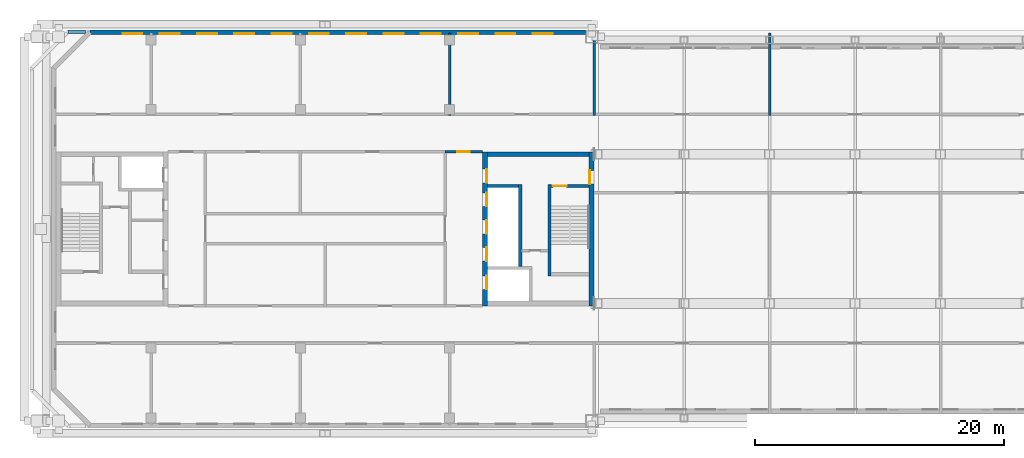
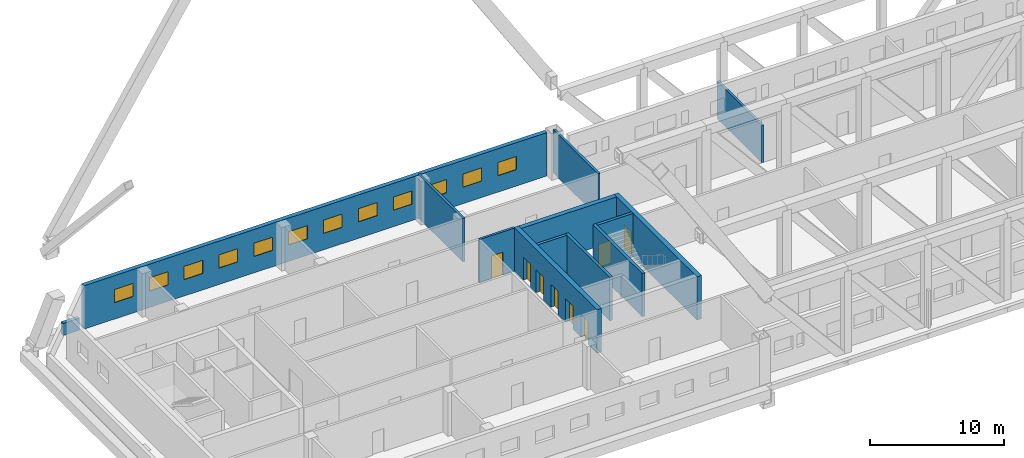
# One storey, part 6 of 17: 13 walls, 12 windows, 8 doors, 20 openings.
"""IFC4 building model written with IfcOpenShell, lengths in metres."""

import ifcopenshell
import ifcopenshell.guid

model = None  # the IFC model being written
_history = None  # IfcOwnerHistory: only IFC2X3 demands one
_inside = {}  # id of a spatial element -> (the spatial element, [elements in it])
_under = {}  # id of a project, library or spatial element -> (it, [spatial elements below it])
_declared = {}  # id of a project -> (the project, [libraries it declares])
_typed = {}  # id of a type object -> (the type object, [elements of that type])
_made_of = {}  # id of a material, layer set ... -> (it, [elements and type objects made of it])


def new_model(schema):
    """Start an empty IFC model of exactly this schema.

    Asked for "IFC4X3", IfcOpenShell would pick the latest addendum, in which some entities
    have other attributes; the version numbers below select the first issue.
    IFC2X3 requires an IfcOwnerHistory on every rooted entity: one is made here for all.
    """
    global model, _history
    if schema == "IFC4X3":
        model = ifcopenshell.file(schema_version=(4, 3, 0, 0))
    else:
        model = ifcopenshell.file(schema=schema)
    _inside.clear()
    _under.clear()
    _declared.clear()
    _typed.clear()
    _made_of.clear()
    _history = None
    if model.schema == "IFC2X3":
        org = make("IfcOrganization", Name="unknown")
        user = make(
            "IfcPersonAndOrganization",
            ThePerson=make("IfcPerson", FamilyName="unknown"),
            TheOrganization=org,
        )
        app = make(
            "IfcApplication",
            ApplicationDeveloper=org,
            Version="unknown",
            ApplicationFullName="unknown",
            ApplicationIdentifier="unknown",
        )
        _history = make(
            "IfcOwnerHistory",
            OwningUser=user,
            OwningApplication=app,
            ChangeAction="ADDED",
            CreationDate=0,
        )
    return model


def make(cls, **values):
    """One entity of the class cls with the attributes given. An attribute that is None is left unset."""
    return model.create_entity(
        cls, **{name: value for name, value in values.items() if value is not None}
    )


def rooted(cls, **values):
    """An entity with a GlobalId (a new one), such as an element, a storey or a relation."""
    return make(cls, GlobalId=ifcopenshell.guid.new(), OwnerHistory=_history, **values)


def si_unit(unit_type, name, prefix=None):
    """IfcSIUnit, for example si_unit("LENGTHUNIT", "METRE", prefix="MILLI")."""
    return make("IfcSIUnit", UnitType=unit_type, Prefix=prefix, Name=name)


def assignment(units):
    """IfcUnitAssignment: the units of a project."""
    return None if units is None else make("IfcUnitAssignment", Units=units)


def point(xyz):
    """IfcCartesianPoint."""
    return None if xyz is None else make("IfcCartesianPoint", Coordinates=xyz)


def direction(xyz):
    """IfcDirection."""
    return None if xyz is None else make("IfcDirection", DirectionRatios=xyz)


def frame(location, z_axis=None, x_axis=None):
    """IfcAxis2Placement3D, a coordinate frame: its origin and axes. An axis left out is left unset."""
    return make(
        "IfcAxis2Placement3D",
        Location=point(location),
        Axis=direction(z_axis),
        RefDirection=direction(x_axis),
    )


def frame_2d(location, x_axis=None):
    """IfcAxis2Placement2D, a coordinate frame in the plane: its origin and x axis."""
    return make(
        "IfcAxis2Placement2D", Location=point(location), RefDirection=direction(x_axis)
    )


def origin():
    """The frame at (0, 0, 0) with its axes left unset."""
    return frame((0.0, 0.0, 0.0))


def place(relative_to, where):
    """IfcLocalPlacement: puts the frame where relative to a parent placement (None: the world)."""
    return make(
        "IfcLocalPlacement", PlacementRelTo=relative_to, RelativePlacement=where
    )


def context(
    kind, dimensions, precision=None, world=None, true_north=None, identifier=None
):
    """IfcGeometricRepresentationContext, for example the 3D "Model" context."""
    return make(
        "IfcGeometricRepresentationContext",
        ContextIdentifier=identifier,
        ContextType=kind,
        CoordinateSpaceDimension=dimensions,
        Precision=precision,
        WorldCoordinateSystem=world,
        TrueNorth=true_north,
    )


def subcontext(parent, identifier, kind, view, scale=None):
    """IfcGeometricRepresentationSubContext, for example "Body" below "Model"."""
    return make(
        "IfcGeometricRepresentationSubContext",
        ContextIdentifier=identifier,
        ContextType=kind,
        ParentContext=parent,
        TargetScale=scale,
        TargetView=view,
    )


def project(units=None, contexts=None):
    """IfcProject with its units and contexts."""
    return rooted(
        "IfcProject",
        Name="project",
        RepresentationContexts=contexts,
        UnitsInContext=assignment(units),
    )


def spatial(cls, under=None, at=None, **own):
    """A site, building, storey or space (cls), placed at a placement, below another one or the project."""
    s = rooted(cls, ObjectPlacement=at, **own)
    if under is not None:
        _under.setdefault(under.id(), (under, []))[1].append(s)
    return s


def profile(cls, at=None, kind="AREA", **sizes):
    """A parametric profile (cls). Its sizes go by their IFC names, for example OverallWidth=200.0."""
    return make(cls, ProfileType=kind, Position=at, **sizes)


def rectangle(**sizes):
    """IfcRectangleProfileDef."""
    return profile("IfcRectangleProfileDef", **sizes)


def extrude(swept, where, along, depth):
    """IfcExtrudedAreaSolid: the profile swept, set in the frame where, extruded along a direction by depth."""
    return make(
        "IfcExtrudedAreaSolid",
        SweptArea=swept,
        Position=where,
        ExtrudedDirection=direction(along),
        Depth=depth,
    )


def shape(context_of_items, identifier, shape_type, items):
    """IfcShapeRepresentation: the items that make up one representation, for example the "Body"."""
    return make(
        "IfcShapeRepresentation",
        ContextOfItems=context_of_items,
        RepresentationIdentifier=identifier,
        RepresentationType=shape_type,
        Items=items,
    )


def material(Name=None, Category=None):
    """IfcMaterial."""
    return make("IfcMaterial", Name=Name, Category=Category)


def layer(
    of_material, thickness, ventilated=None, Name=None, Category=None, Priority=None
):
    """IfcMaterialLayer: one layer of a wall or slab, of a material (None: an air gap)."""
    return make(
        "IfcMaterialLayer",
        Material=of_material,
        LayerThickness=thickness,
        IsVentilated=ventilated,
        Name=Name,
        Category=Category,
        Priority=Priority,
    )


def layer_set(layers, Name=None):
    """IfcMaterialLayerSet."""
    return make("IfcMaterialLayerSet", MaterialLayers=layers, LayerSetName=Name)


def made_of(thing, what):
    """Note that an element or type object is made of a material, layer set ...; save() writes the relation."""
    if what is not None:
        _made_of.setdefault(what.id(), (what, []))[1].append(thing)
    return thing


def type_object(cls, material=None, **own):
    """A type object (cls), such as IfcWallType, which elements share."""
    return made_of(rooted(cls, **own), material)


def element(
    cls,
    number,
    at=None,
    inside=None,
    cuts=None,
    type_object=None,
    material=None,
    context=None,
    identifier="Body",
    shape_type=None,
    held_by="IfcProductDefinitionShape",
    body=None,
    shapes=None,
    **own,
):
    """One element of the class cls, such as IfcWall. Its Tag is "e" and its number.

    at: its placement. inside: the storey or other place that contains it. cuts: it is an
    opening in that element (IfcRelVoidsElement). A single representation is given by context,
    identifier, shape_type and body (its items); several are given by shapes. held_by: the class
    of the entity that holds the representations. save() writes the other relations.
    """
    e = rooted(cls, Tag="e%d" % number, ObjectPlacement=at, **own)
    if body is not None:
        shapes = [shape(context, identifier, shape_type, body)]
    if shapes is not None:
        e.Representation = make(held_by, Representations=shapes)
    if inside is not None:
        _inside.setdefault(inside.id(), (inside, []))[1].append(e)
    if cuts is not None:
        rooted(
            "IfcRelVoidsElement", RelatingBuildingElement=cuts, RelatedOpeningElement=e
        )
    if type_object is not None:
        _typed.setdefault(type_object.id(), (type_object, []))[1].append(e)
    return made_of(e, material)


def fill(opening, filler):
    """IfcRelFillsElement: the door or window that sits in an opening."""
    return rooted(
        "IfcRelFillsElement",
        RelatingOpeningElement=opening,
        RelatedBuildingElement=filler,
    )


def aggregate(whole, parts):
    """IfcRelAggregates: a whole, such as a stair, and the parts it consists of."""
    return rooted("IfcRelAggregates", RelatingObject=whole, RelatedObjects=parts)


def save(model, path):
    """Write the relations noted so far, then the file.

    IfcRelAggregates (storeys below a building ...), IfcRelContainedInSpatialStructure (elements
    in a storey), IfcRelDefinesByType, IfcRelAssociatesMaterial and IfcRelDeclares: one each for
    every whole, place, type object, material and project.
    """
    for whole, parts in _under.values():
        aggregate(whole, parts)
    for where, things in _inside.values():
        rooted(
            "IfcRelContainedInSpatialStructure",
            RelatedElements=things,
            RelatingStructure=where,
        )
    for kind, things in _typed.values():
        rooted("IfcRelDefinesByType", RelatedObjects=things, RelatingType=kind)
    for what, things in _made_of.values():
        rooted("IfcRelAssociatesMaterial", RelatedObjects=things, RelatingMaterial=what)
    for by, libraries in _declared.values():
        rooted("IfcRelDeclares", RelatingContext=by, RelatedDefinitions=libraries)
    model.write(path)


model = new_model("IFC4")

# Units and contexts
model_context = context("Model", 3, precision=1e-05, world=origin(), true_north=direction((0.0, 1.0)))
body_context = subcontext(model_context, "Body", "Model", "MODEL_VIEW")
ifc_project = project(units=[si_unit("LENGTHUNIT", "METRE"), si_unit("AREAUNIT", "SQUARE_METRE"), si_unit("VOLUMEUNIT", "CUBIC_METRE"), si_unit("PLANEANGLEUNIT", "RADIAN"), si_unit("MASSUNIT", "GRAM", prefix="KILO")], contexts=[model_context])

# Site, building, storey
site_placement = place(None, origin())
site = spatial("IfcSite", under=ifc_project, at=site_placement, CompositionType="ELEMENT")
building_placement = place(site_placement, origin())
building = spatial("IfcBuilding", under=site, at=building_placement, Name="Tuart Gate Housing", CompositionType="ELEMENT")
storey_placement = place(building_placement, frame((0.0, 0.0, 194.39990234375)))
storey = spatial("IfcBuildingStorey", under=building, at=storey_placement, Name="L55", CompositionType="ELEMENT", Elevation=194.39990234375)

# Wall
ifc_material_1 = material(Name="Brick", Category="masonry")
ifc_layer_1 = layer(ifc_material_1, 0.300048828125)
ifc_layer_set_1 = layer_set([ifc_layer_1], Name="Brick parapet wall 300")
wall_type_1 = type_object("IfcWallType", Name="Brick parapet wall 300", PredefinedType="PARAPET", material=ifc_layer_set_1)
wall_1_placement = place(storey_placement, frame((34.699951171875, 85.85009765625, 0.0), z_axis=(0.0, 0.0, 1.0), x_axis=(-1.0, 0.0, 0.0)))
element("IfcWall", 1, at=wall_1_placement, inside=storey, type_object=wall_type_1, Name="Roof parapet A 1", PredefinedType="PARAPET", context=body_context, shape_type="SweptSolid", body=[
    extrude(rectangle(XDim=1.387939453125, YDim=0.300048828125, at=frame_2d((0.69384765625, 0.0))), origin(), (0.0, 0.0, 1.0), 1.10009765625),
])

# Wall, openings, windows
ifc_material_2 = material(Name="Brick", Category="masonry")
ifc_layer_2 = layer(ifc_material_2, 0.360107421875)
ifc_layer_set_2 = layer_set([ifc_layer_2], Name="Brick pier and spandrel wall 360")
wall_type_2 = type_object("IfcWallType", Name="Brick pier and spandrel wall 360", PredefinedType="STANDARD", material=ifc_layer_set_2)
wall_2_placement = place(storey_placement, frame((74.949951171875, 85.820068359375, 0.0), z_axis=(0.0, 0.0, 1.0), x_axis=(-1.0, 0.0, 0.0)))
wall_2 = element("IfcWall", 2, at=wall_2_placement, inside=storey, type_object=wall_type_2, Name="External wall BLK-N L55", PredefinedType="STANDARD", context=body_context, shape_type="SweptSolid", body=[
    extrude(rectangle(XDim=39.87548828125, YDim=0.360107421875, at=frame_2d((19.937744140625, 0.0))), origin(), (0.0, 0.0, 1.0), 3.9501953125),
])
opening_1_placement = place(wall_2_placement, frame((2.64990234375, 0.0, 1.5)))
opening_1 = element("IfcOpeningElement", 3, at=opening_1_placement, cuts=wall_2, Name="Opening W3", PredefinedType="OPENING", context=body_context, shape_type="SweptSolid", body=[
    extrude(rectangle(XDim=1.60009765625, YDim=1.199951171875, at=frame_2d((0.800048828125, 0.60009765625))), frame((0.0, 0.18994140625, 0.0), z_axis=(0.0, -1.0, 0.0), x_axis=(1.0, 0.0, 0.0)), (0.0, 0.0, 1.0), 0.380126953125),
])
opening_2_placement = place(wall_2_placement, frame((5.64990234375, 0.0, 1.5)))
opening_2 = element("IfcOpeningElement", 4, at=opening_2_placement, cuts=wall_2, Name="Opening W3", PredefinedType="OPENING", context=body_context, shape_type="SweptSolid", body=[
    extrude(rectangle(XDim=1.60009765625, YDim=1.199951171875, at=frame_2d((0.800048828125, 0.60009765625))), frame((0.0, 0.18994140625, 0.0), z_axis=(0.0, -1.0, 0.0), x_axis=(1.0, 0.0, 0.0)), (0.0, 0.0, 1.0), 0.380126953125),
])
opening_3_placement = place(wall_2_placement, frame((8.64990234375, 0.0, 1.5)))
opening_3 = element("IfcOpeningElement", 5, at=opening_3_placement, cuts=wall_2, Name="Opening W3", PredefinedType="OPENING", context=body_context, shape_type="SweptSolid", body=[
    extrude(rectangle(XDim=1.60009765625, YDim=1.199951171875, at=frame_2d((0.800048828125, 0.60009765625))), frame((0.0, 0.18994140625, 0.0), z_axis=(0.0, -1.0, 0.0), x_axis=(1.0, 0.0, 0.0)), (0.0, 0.0, 1.0), 0.380126953125),
])
opening_4_placement = place(wall_2_placement, frame((11.64990234375, 0.0, 1.5)))
opening_4 = element("IfcOpeningElement", 6, at=opening_4_placement, cuts=wall_2, Name="Opening W3", PredefinedType="OPENING", context=body_context, shape_type="SweptSolid", body=[
    extrude(rectangle(XDim=1.60009765625, YDim=1.199951171875, at=frame_2d((0.800048828125, 0.60009765625))), frame((0.0, 0.18994140625, 0.0), z_axis=(0.0, -1.0, 0.0), x_axis=(1.0, 0.0, 0.0)), (0.0, 0.0, 1.0), 0.380126953125),
])
opening_5_placement = place(wall_2_placement, frame((14.64990234375, 0.0, 1.5)))
opening_5 = element("IfcOpeningElement", 7, at=opening_5_placement, cuts=wall_2, Name="Opening W3", PredefinedType="OPENING", context=body_context, shape_type="SweptSolid", body=[
    extrude(rectangle(XDim=1.60009765625, YDim=1.199951171875, at=frame_2d((0.800048828125, 0.60009765625))), frame((0.0, 0.18994140625, 0.0), z_axis=(0.0, -1.0, 0.0), x_axis=(1.0, 0.0, 0.0)), (0.0, 0.0, 1.0), 0.380126953125),
])
opening_6_placement = place(wall_2_placement, frame((17.64990234375, 0.0, 1.5)))
opening_6 = element("IfcOpeningElement", 8, at=opening_6_placement, cuts=wall_2, Name="Opening W3", PredefinedType="OPENING", context=body_context, shape_type="SweptSolid", body=[
    extrude(rectangle(XDim=1.60009765625, YDim=1.199951171875, at=frame_2d((0.800048828125, 0.60009765625))), frame((0.0, 0.18994140625, 0.0), z_axis=(0.0, -1.0, 0.0), x_axis=(1.0, 0.0, 0.0)), (0.0, 0.0, 1.0), 0.380126953125),
])
opening_7_placement = place(wall_2_placement, frame((20.64990234375, 0.0, 1.5)))
opening_7 = element("IfcOpeningElement", 9, at=opening_7_placement, cuts=wall_2, Name="Opening W3", PredefinedType="OPENING", context=body_context, shape_type="SweptSolid", body=[
    extrude(rectangle(XDim=1.60009765625, YDim=1.199951171875, at=frame_2d((0.800048828125, 0.60009765625))), frame((0.0, 0.18994140625, 0.0), z_axis=(0.0, -1.0, 0.0), x_axis=(1.0, 0.0, 0.0)), (0.0, 0.0, 1.0), 0.380126953125),
])
opening_8_placement = place(wall_2_placement, frame((23.64990234375, 0.0, 1.5)))
opening_8 = element("IfcOpeningElement", 10, at=opening_8_placement, cuts=wall_2, Name="Opening W3", PredefinedType="OPENING", context=body_context, shape_type="SweptSolid", body=[
    extrude(rectangle(XDim=1.60009765625, YDim=1.199951171875, at=frame_2d((0.800048828125, 0.60009765625))), frame((0.0, 0.18994140625, 0.0), z_axis=(0.0, -1.0, 0.0), x_axis=(1.0, 0.0, 0.0)), (0.0, 0.0, 1.0), 0.380126953125),
])
opening_9_placement = place(wall_2_placement, frame((26.64990234375, 0.0, 1.5)))
opening_9 = element("IfcOpeningElement", 11, at=opening_9_placement, cuts=wall_2, Name="Opening W3", PredefinedType="OPENING", context=body_context, shape_type="SweptSolid", body=[
    extrude(rectangle(XDim=1.60009765625, YDim=1.199951171875, at=frame_2d((0.800048828125, 0.60009765625))), frame((0.0, 0.18994140625, 0.0), z_axis=(0.0, -1.0, 0.0), x_axis=(1.0, 0.0, 0.0)), (0.0, 0.0, 1.0), 0.380126953125),
])
opening_10_placement = place(wall_2_placement, frame((29.64990234375, 0.0, 1.5)))
opening_10 = element("IfcOpeningElement", 12, at=opening_10_placement, cuts=wall_2, Name="Opening W3", PredefinedType="OPENING", context=body_context, shape_type="SweptSolid", body=[
    extrude(rectangle(XDim=1.60009765625, YDim=1.199951171875, at=frame_2d((0.800048828125, 0.60009765625))), frame((0.0, 0.18994140625, 0.0), z_axis=(0.0, -1.0, 0.0), x_axis=(1.0, 0.0, 0.0)), (0.0, 0.0, 1.0), 0.380126953125),
])
opening_11_placement = place(wall_2_placement, frame((32.64990234375, 0.0, 1.5)))
opening_11 = element("IfcOpeningElement", 13, at=opening_11_placement, cuts=wall_2, Name="Opening W3", PredefinedType="OPENING", context=body_context, shape_type="SweptSolid", body=[
    extrude(rectangle(XDim=1.60009765625, YDim=1.199951171875, at=frame_2d((0.800048828125, 0.60009765625))), frame((0.0, 0.18994140625, 0.0), z_axis=(0.0, -1.0, 0.0), x_axis=(1.0, 0.0, 0.0)), (0.0, 0.0, 1.0), 0.380126953125),
])
opening_12_placement = place(wall_2_placement, frame((35.64990234375, 0.0, 1.5)))
opening_12 = element("IfcOpeningElement", 14, at=opening_12_placement, cuts=wall_2, Name="Opening W3", PredefinedType="OPENING", context=body_context, shape_type="SweptSolid", body=[
    extrude(rectangle(XDim=1.60009765625, YDim=1.199951171875, at=frame_2d((0.800048828125, 0.60009765625))), frame((0.0, 0.18994140625, 0.0), z_axis=(0.0, -1.0, 0.0), x_axis=(1.0, 0.0, 0.0)), (0.0, 0.0, 1.0), 0.380126953125),
])
ifc_material_3 = material(Name="Aluminium louvre blades", Category="aluminium")
window_type = type_object("IfcWindowType", Name="Louvre window 1600 x 1200", PartitioningType="DOUBLE_PANEL_HORIZONTAL", PredefinedType="WINDOW", material=ifc_material_3)
window_1_placement = place(opening_1_placement, origin())
window_1 = element("IfcWindow", 15, at=window_1_placement, inside=storey, type_object=window_type, Name="Louvre W3", OverallHeight=1.199951171875, OverallWidth=1.60009765625, PartitioningType="DOUBLE_PANEL_HORIZONTAL", PredefinedType="WINDOW", context=body_context, shape_type="SweptSolid", body=[
    extrude(rectangle(XDim=1.60009765625, YDim=1.199951171875, at=frame_2d((0.800048828125, 0.60009765625))), frame((0.0, 0.150146484375, 0.0), z_axis=(0.0, -1.0, 0.0), x_axis=(1.0, 0.0, 0.0)), (0.0, 0.0, 1.0), 0.06005859375),
])
fill(opening_1, window_1)
window_2_placement = place(opening_2_placement, origin())
window_2 = element("IfcWindow", 16, at=window_2_placement, inside=storey, type_object=window_type, Name="Louvre W3", OverallHeight=1.199951171875, OverallWidth=1.60009765625, PartitioningType="DOUBLE_PANEL_HORIZONTAL", PredefinedType="WINDOW", context=body_context, shape_type="SweptSolid", body=[
    extrude(rectangle(XDim=1.60009765625, YDim=1.199951171875, at=frame_2d((0.800048828125, 0.60009765625))), frame((0.0, 0.150146484375, 0.0), z_axis=(0.0, -1.0, 0.0), x_axis=(1.0, 0.0, 0.0)), (0.0, 0.0, 1.0), 0.06005859375),
])
fill(opening_2, window_2)
window_3_placement = place(opening_3_placement, origin())
window_3 = element("IfcWindow", 17, at=window_3_placement, inside=storey, type_object=window_type, Name="Louvre W3", OverallHeight=1.199951171875, OverallWidth=1.60009765625, PartitioningType="DOUBLE_PANEL_HORIZONTAL", PredefinedType="WINDOW", context=body_context, shape_type="SweptSolid", body=[
    extrude(rectangle(XDim=1.60009765625, YDim=1.199951171875, at=frame_2d((0.800048828125, 0.60009765625))), frame((0.0, 0.150146484375, 0.0), z_axis=(0.0, -1.0, 0.0), x_axis=(1.0, 0.0, 0.0)), (0.0, 0.0, 1.0), 0.06005859375),
])
fill(opening_3, window_3)
window_4_placement = place(opening_4_placement, origin())
window_4 = element("IfcWindow", 18, at=window_4_placement, inside=storey, type_object=window_type, Name="Louvre W3", OverallHeight=1.199951171875, OverallWidth=1.60009765625, PartitioningType="DOUBLE_PANEL_HORIZONTAL", PredefinedType="WINDOW", context=body_context, shape_type="SweptSolid", body=[
    extrude(rectangle(XDim=1.60009765625, YDim=1.199951171875, at=frame_2d((0.800048828125, 0.60009765625))), frame((0.0, 0.150146484375, 0.0), z_axis=(0.0, -1.0, 0.0), x_axis=(1.0, 0.0, 0.0)), (0.0, 0.0, 1.0), 0.06005859375),
])
fill(opening_4, window_4)
window_5_placement = place(opening_5_placement, origin())
window_5 = element("IfcWindow", 19, at=window_5_placement, inside=storey, type_object=window_type, Name="Louvre W3", OverallHeight=1.199951171875, OverallWidth=1.60009765625, PartitioningType="DOUBLE_PANEL_HORIZONTAL", PredefinedType="WINDOW", context=body_context, shape_type="SweptSolid", body=[
    extrude(rectangle(XDim=1.60009765625, YDim=1.199951171875, at=frame_2d((0.800048828125, 0.60009765625))), frame((0.0, 0.150146484375, 0.0), z_axis=(0.0, -1.0, 0.0), x_axis=(1.0, 0.0, 0.0)), (0.0, 0.0, 1.0), 0.06005859375),
])
fill(opening_5, window_5)
window_6_placement = place(opening_6_placement, origin())
window_6 = element("IfcWindow", 20, at=window_6_placement, inside=storey, type_object=window_type, Name="Louvre W3", OverallHeight=1.199951171875, OverallWidth=1.60009765625, PartitioningType="DOUBLE_PANEL_HORIZONTAL", PredefinedType="WINDOW", context=body_context, shape_type="SweptSolid", body=[
    extrude(rectangle(XDim=1.60009765625, YDim=1.199951171875, at=frame_2d((0.800048828125, 0.60009765625))), frame((0.0, 0.150146484375, 0.0), z_axis=(0.0, -1.0, 0.0), x_axis=(1.0, 0.0, 0.0)), (0.0, 0.0, 1.0), 0.06005859375),
])
fill(opening_6, window_6)
window_7_placement = place(opening_7_placement, origin())
window_7 = element("IfcWindow", 21, at=window_7_placement, inside=storey, type_object=window_type, Name="Louvre W3", OverallHeight=1.199951171875, OverallWidth=1.60009765625, PartitioningType="DOUBLE_PANEL_HORIZONTAL", PredefinedType="WINDOW", context=body_context, shape_type="SweptSolid", body=[
    extrude(rectangle(XDim=1.60009765625, YDim=1.199951171875, at=frame_2d((0.800048828125, 0.60009765625))), frame((0.0, 0.150146484375, 0.0), z_axis=(0.0, -1.0, 0.0), x_axis=(1.0, 0.0, 0.0)), (0.0, 0.0, 1.0), 0.06005859375),
])
fill(opening_7, window_7)
window_8_placement = place(opening_8_placement, origin())
window_8 = element("IfcWindow", 22, at=window_8_placement, inside=storey, type_object=window_type, Name="Louvre W3", OverallHeight=1.199951171875, OverallWidth=1.60009765625, PartitioningType="DOUBLE_PANEL_HORIZONTAL", PredefinedType="WINDOW", context=body_context, shape_type="SweptSolid", body=[
    extrude(rectangle(XDim=1.60009765625, YDim=1.199951171875, at=frame_2d((0.800048828125, 0.60009765625))), frame((0.0, 0.150146484375, 0.0), z_axis=(0.0, -1.0, 0.0), x_axis=(1.0, 0.0, 0.0)), (0.0, 0.0, 1.0), 0.06005859375),
])
fill(opening_8, window_8)
window_9_placement = place(opening_9_placement, origin())
window_9 = element("IfcWindow", 23, at=window_9_placement, inside=storey, type_object=window_type, Name="Louvre W3", OverallHeight=1.199951171875, OverallWidth=1.60009765625, PartitioningType="DOUBLE_PANEL_HORIZONTAL", PredefinedType="WINDOW", context=body_context, shape_type="SweptSolid", body=[
    extrude(rectangle(XDim=1.60009765625, YDim=1.199951171875, at=frame_2d((0.800048828125, 0.60009765625))), frame((0.0, 0.150146484375, 0.0), z_axis=(0.0, -1.0, 0.0), x_axis=(1.0, 0.0, 0.0)), (0.0, 0.0, 1.0), 0.06005859375),
])
fill(opening_9, window_9)
window_10_placement = place(opening_10_placement, origin())
window_10 = element("IfcWindow", 24, at=window_10_placement, inside=storey, type_object=window_type, Name="Louvre W3", OverallHeight=1.199951171875, OverallWidth=1.60009765625, PartitioningType="DOUBLE_PANEL_HORIZONTAL", PredefinedType="WINDOW", context=body_context, shape_type="SweptSolid", body=[
    extrude(rectangle(XDim=1.60009765625, YDim=1.199951171875, at=frame_2d((0.800048828125, 0.60009765625))), frame((0.0, 0.150146484375, 0.0), z_axis=(0.0, -1.0, 0.0), x_axis=(1.0, 0.0, 0.0)), (0.0, 0.0, 1.0), 0.06005859375),
])
fill(opening_10, window_10)
window_11_placement = place(opening_11_placement, origin())
window_11 = element("IfcWindow", 25, at=window_11_placement, inside=storey, type_object=window_type, Name="Louvre W3", OverallHeight=1.199951171875, OverallWidth=1.60009765625, PartitioningType="DOUBLE_PANEL_HORIZONTAL", PredefinedType="WINDOW", context=body_context, shape_type="SweptSolid", body=[
    extrude(rectangle(XDim=1.60009765625, YDim=1.199951171875, at=frame_2d((0.800048828125, 0.60009765625))), frame((0.0, 0.150146484375, 0.0), z_axis=(0.0, -1.0, 0.0), x_axis=(1.0, 0.0, 0.0)), (0.0, 0.0, 1.0), 0.06005859375),
])
fill(opening_11, window_11)
window_12_placement = place(opening_12_placement, origin())
window_12 = element("IfcWindow", 26, at=window_12_placement, inside=storey, type_object=window_type, Name="Louvre W3", OverallHeight=1.199951171875, OverallWidth=1.60009765625, PartitioningType="DOUBLE_PANEL_HORIZONTAL", PredefinedType="WINDOW", context=body_context, shape_type="SweptSolid", body=[
    extrude(rectangle(XDim=1.60009765625, YDim=1.199951171875, at=frame_2d((0.800048828125, 0.60009765625))), frame((0.0, 0.150146484375, 0.0), z_axis=(0.0, -1.0, 0.0), x_axis=(1.0, 0.0, 0.0)), (0.0, 0.0, 1.0), 0.06005859375),
])
fill(opening_12, window_12)

# Wall
ifc_material_4 = material(Name="Concrete C40", Category="concrete")
ifc_layer_3 = layer(ifc_material_4, 0.25)
ifc_layer_set_3 = layer_set([ifc_layer_3], Name="Core wall 250 C40")
wall_type_3 = type_object("IfcWallType", Name="Core wall 250 C40", PredefinedType="SHEAR", material=ifc_layer_set_3)
wall_3_placement = place(storey_placement, frame((67.0400390625, 73.449951171875, 0.0), z_axis=(0.0, 0.0, 1.0), x_axis=(1.0, 0.0, 0.0)))
element("IfcWall", 27, at=wall_3_placement, inside=storey, type_object=wall_type_3, Name="Core wall AG.4", PredefinedType="SHEAR", context=body_context, shape_type="SweptSolid", body=[
    extrude(rectangle(XDim=2.52490234375, YDim=0.25, at=frame_2d((1.262451171875, 0.0))), origin(), (0.0, 0.0, 1.0), 3.9501953125),
])

# Wall, opening, door
wall_4_placement = place(storey_placement, frame((72.1650390625, 73.449951171875, 0.0), z_axis=(0.0, 0.0, 1.0), x_axis=(1.0, 0.0, 0.0)))
wall_4 = element("IfcWall", 28, at=wall_4_placement, inside=storey, type_object=wall_type_3, Name="Core wall AG.5", PredefinedType="SHEAR", context=body_context, shape_type="SweptSolid", body=[
    extrude(rectangle(XDim=3.074951171875, YDim=0.25, at=frame_2d((1.53759765625, 0.0))), origin(), (0.0, 0.0, 1.0), 3.9501953125),
])
opening_13_placement = place(wall_4_placement, frame((0.14990234375, 0.0, 0.0)))
opening_13 = element("IfcOpeningElement", 29, at=opening_13_placement, cuts=wall_4, Name="Opening D3508", PredefinedType="OPENING", context=body_context, shape_type="SweptSolid", body=[
    extrude(rectangle(XDim=1.10009765625, YDim=2.10009765625, at=frame_2d((0.550048828125, 1.050048828125))), frame((0.0, 0.135009765625, 0.0), z_axis=(0.0, -1.0, 0.0), x_axis=(1.0, 0.0, 0.0)), (0.0, 0.0, 1.0), 0.27001953125),
])
ifc_material_5 = material(Name="Steel fire door", Category="steel")
door_type_1 = type_object("IfcDoorType", Name="Stair door 1100 x 2100 RH", OperationType="SINGLE_SWING_RIGHT", PredefinedType="DOOR", material=ifc_material_5)
door_1_placement = place(opening_13_placement, frame((1.10009765625, 0.0, 0.0), z_axis=(0.0, 0.0, 1.0), x_axis=(-1.0, 0.0, 0.0)))
door_1 = element("IfcDoor", 30, at=door_1_placement, inside=storey, type_object=door_type_1, Name="Stair door AG.SD", OperationType="SINGLE_SWING_RIGHT", OverallHeight=2.10009765625, OverallWidth=1.10009765625, PredefinedType="DOOR", context=body_context, shape_type="SweptSolid", body=[
    extrude(rectangle(XDim=1.10009765625, YDim=2.10009765625, at=frame_2d((0.550048828125, 1.050048828125))), frame((0.0, 0.025146484375, 0.0), z_axis=(0.0, -1.0, 0.0), x_axis=(1.0, 0.0, 0.0)), (0.0, 0.0, 1.0), 0.050048828125),
])
fill(opening_13, door_1)

# Walls
wall_5_placement = place(storey_placement, frame((69.68994140625, 66.97509765625, 0.0), z_axis=(0.0, 0.0, 1.0), x_axis=(0.0, 1.0, 0.0)))
element("IfcWall", 31, at=wall_5_placement, inside=storey, type_object=wall_type_3, Name="Core wall AG.6", PredefinedType="SHEAR", context=body_context, shape_type="SweptSolid", body=[
    extrude(rectangle(XDim=6.599853515625, YDim=0.25, at=frame_2d((3.2998046875, 0.0))), origin(), (0.0, 0.0, 1.0), 3.9501953125),
])
wall_6_placement = place(storey_placement, frame((72.0400390625, 66.22509765625, 0.0), z_axis=(0.0, 0.0, 1.0), x_axis=(0.0, 1.0, 0.0)))
element("IfcWall", 32, at=wall_6_placement, inside=storey, type_object=wall_type_3, Name="Core wall AG.8", PredefinedType="SHEAR", context=body_context, shape_type="SweptSolid", body=[
    extrude(rectangle(XDim=7.349853515625, YDim=0.25, at=frame_2d((3.6748046875, 0.0))), origin(), (0.0, 0.0, 1.0), 3.9501953125),
])

# Wall, openings, doors
ifc_material_6 = material(Name="Concrete C40", Category="concrete")
ifc_layer_4 = layer(ifc_material_6, 0.39990234375)
ifc_layer_set_4 = layer_set([ifc_layer_4], Name="Core wall 400 C40")
wall_type_4 = type_object("IfcWallType", Name="Core wall 400 C40", PredefinedType="SHEAR", material=ifc_layer_set_4)
wall_7_placement = place(storey_placement, frame((66.840087890625, 63.800048828125, 0.0), z_axis=(0.0, 0.0, 1.0), x_axis=(0.0, 1.0, 0.0)))
wall_7 = element("IfcWall", 33, at=wall_7_placement, inside=storey, type_object=wall_type_4, Name="Core wall AG front", PredefinedType="SHEAR", context=body_context, shape_type="SweptSolid", body=[
    extrude(rectangle(XDim=12.39990234375, YDim=0.39990234375, at=frame_2d((6.199951171875, 0.0))), origin(), (0.0, 0.0, 1.0), 3.9501953125),
])
opening_14_placement = place(wall_7_placement, frame((1.324951171875, 0.0, 0.0)))
opening_14 = element("IfcOpeningElement", 34, at=opening_14_placement, cuts=wall_7, Name="Opening LD-FA1", PredefinedType="OPENING", context=body_context, shape_type="SweptSolid", body=[
    extrude(rectangle(XDim=1.10009765625, YDim=2.10009765625, at=frame_2d((0.550048828125, 1.050048828125))), frame((0.0, 0.2099609375, 0.0), z_axis=(0.0, -1.0, 0.0), x_axis=(1.0, 0.0, 0.0)), (0.0, 0.0, 1.0), 0.419921875),
])
opening_15_placement = place(wall_7_placement, frame((3.60009765625, 0.0, 0.0)))
opening_15 = element("IfcOpeningElement", 35, at=opening_15_placement, cuts=wall_7, Name="Opening LD-LA1", PredefinedType="OPENING", context=body_context, shape_type="SweptSolid", body=[
    extrude(rectangle(XDim=1.10009765625, YDim=2.10009765625, at=frame_2d((0.550048828125, 1.050048828125))), frame((0.0, 0.2099609375, 0.0), z_axis=(0.0, -1.0, 0.0), x_axis=(1.0, 0.0, 0.0)), (0.0, 0.0, 1.0), 0.419921875),
])
opening_16_placement = place(wall_7_placement, frame((5.800048828125, 0.0, 0.0)))
opening_16 = element("IfcOpeningElement", 36, at=opening_16_placement, cuts=wall_7, Name="Opening LD-LA2", PredefinedType="OPENING", context=body_context, shape_type="SweptSolid", body=[
    extrude(rectangle(XDim=1.10009765625, YDim=2.10009765625, at=frame_2d((0.550048828125, 1.050048828125))), frame((0.0, 0.2099609375, 0.0), z_axis=(0.0, -1.0, 0.0), x_axis=(1.0, 0.0, 0.0)), (0.0, 0.0, 1.0), 0.419921875),
])
opening_17_placement = place(wall_7_placement, frame((8.0, 0.0, 0.0)))
opening_17 = element("IfcOpeningElement", 37, at=opening_17_placement, cuts=wall_7, Name="Opening LD-LA3", PredefinedType="OPENING", context=body_context, shape_type="SweptSolid", body=[
    extrude(rectangle(XDim=1.10009765625, YDim=2.10009765625, at=frame_2d((0.550048828125, 1.050048828125))), frame((0.0, 0.2099609375, 0.0), z_axis=(0.0, -1.0, 0.0), x_axis=(1.0, 0.0, 0.0)), (0.0, 0.0, 1.0), 0.419921875),
])
opening_18_placement = place(wall_7_placement, frame((9.89990234375, 0.0, 0.0)))
opening_18 = element("IfcOpeningElement", 38, at=opening_18_placement, cuts=wall_7, Name="Opening D3515", PredefinedType="OPENING", context=body_context, shape_type="SweptSolid", body=[
    extrude(rectangle(XDim=1.10009765625, YDim=2.10009765625, at=frame_2d((0.550048828125, 1.050048828125))), frame((0.0, 0.2099609375, 0.0), z_axis=(0.0, -1.0, 0.0), x_axis=(1.0, 0.0, 0.0)), (0.0, 0.0, 1.0), 0.419921875),
])
ifc_material_7 = material(Name="Stainless steel", Category="steel")
door_type_2 = type_object("IfcDoorType", Name="Landing door 1100 x 2100", OperationType="DOUBLE_DOOR_SLIDING", PredefinedType="DOOR", material=ifc_material_7)
door_2_placement = place(opening_14_placement, origin())
door_2 = element("IfcDoor", 39, at=door_2_placement, inside=storey, type_object=door_type_2, Name="Lift landing door FA1", OperationType="DOUBLE_DOOR_SLIDING", OverallHeight=2.10009765625, OverallWidth=1.10009765625, PredefinedType="DOOR", context=body_context, shape_type="SweptSolid", body=[
    extrude(rectangle(XDim=1.10009765625, YDim=2.10009765625, at=frame_2d((0.550048828125, 1.050048828125))), frame((0.0, -0.134765625, 0.0), z_axis=(0.0, -1.0, 0.0), x_axis=(1.0, 0.0, 0.0)), (0.0, 0.0, 1.0), 0.050048828125),
])
fill(opening_14, door_2)
door_3_placement = place(opening_15_placement, origin())
door_3 = element("IfcDoor", 40, at=door_3_placement, inside=storey, type_object=door_type_2, Name="Lift landing door LA1", OperationType="DOUBLE_DOOR_SLIDING", OverallHeight=2.10009765625, OverallWidth=1.10009765625, PredefinedType="DOOR", context=body_context, shape_type="SweptSolid", body=[
    extrude(rectangle(XDim=1.10009765625, YDim=2.10009765625, at=frame_2d((0.550048828125, 1.050048828125))), frame((0.0, -0.134765625, 0.0), z_axis=(0.0, -1.0, 0.0), x_axis=(1.0, 0.0, 0.0)), (0.0, 0.0, 1.0), 0.050048828125),
])
fill(opening_15, door_3)
door_4_placement = place(opening_16_placement, origin())
door_4 = element("IfcDoor", 41, at=door_4_placement, inside=storey, type_object=door_type_2, Name="Lift landing door LA2", OperationType="DOUBLE_DOOR_SLIDING", OverallHeight=2.10009765625, OverallWidth=1.10009765625, PredefinedType="DOOR", context=body_context, shape_type="SweptSolid", body=[
    extrude(rectangle(XDim=1.10009765625, YDim=2.10009765625, at=frame_2d((0.550048828125, 1.050048828125))), frame((0.0, -0.134765625, 0.0), z_axis=(0.0, -1.0, 0.0), x_axis=(1.0, 0.0, 0.0)), (0.0, 0.0, 1.0), 0.050048828125),
])
fill(opening_16, door_4)
door_5_placement = place(opening_17_placement, origin())
door_5 = element("IfcDoor", 42, at=door_5_placement, inside=storey, type_object=door_type_2, Name="Lift landing door LA3", OperationType="DOUBLE_DOOR_SLIDING", OverallHeight=2.10009765625, OverallWidth=1.10009765625, PredefinedType="DOOR", context=body_context, shape_type="SweptSolid", body=[
    extrude(rectangle(XDim=1.10009765625, YDim=2.10009765625, at=frame_2d((0.550048828125, 1.050048828125))), frame((0.0, -0.134765625, 0.0), z_axis=(0.0, -1.0, 0.0), x_axis=(1.0, 0.0, 0.0)), (0.0, 0.0, 1.0), 0.050048828125),
])
fill(opening_17, door_5)
ifc_material_8 = material(Name="Steel fire door", Category="steel")
door_type_3 = type_object("IfcDoorType", Name="Lobby door 1100 x 2100 RH", OperationType="SINGLE_SWING_RIGHT", PredefinedType="DOOR", material=ifc_material_8)
door_6_placement = place(opening_18_placement, frame((1.10009765625, 0.0, 0.0), z_axis=(0.0, 0.0, 1.0), x_axis=(-1.0, 0.0, 0.0)))
door_6 = element("IfcDoor", 43, at=door_6_placement, inside=storey, type_object=door_type_3, Name="Lobby entry door AG.EN", OperationType="SINGLE_SWING_RIGHT", OverallHeight=2.10009765625, OverallWidth=1.10009765625, PredefinedType="DOOR", context=body_context, shape_type="SweptSolid", body=[
    extrude(rectangle(XDim=1.10009765625, YDim=2.10009765625, at=frame_2d((0.550048828125, 1.050048828125))), frame((0.0, 0.184814453125, 0.0), z_axis=(0.0, -1.0, 0.0), x_axis=(1.0, 0.0, 0.0)), (0.0, 0.0, 1.0), 0.050048828125),
])
fill(opening_18, door_6)

# Wall, opening, door
wall_8_placement = place(storey_placement, frame((75.43994140625, 63.800048828125, 0.0), z_axis=(0.0, 0.0, 1.0), x_axis=(0.0, 1.0, 0.0)))
wall_8 = element("IfcWall", 44, at=wall_8_placement, inside=storey, type_object=wall_type_4, Name="Core wall AG back", PredefinedType="SHEAR", context=body_context, shape_type="SweptSolid", body=[
    extrude(rectangle(XDim=12.39990234375, YDim=0.39990234375, at=frame_2d((6.199951171875, 0.0))), origin(), (0.0, 0.0, 1.0), 3.9501953125),
])
opening_19_placement = place(wall_8_placement, frame((9.800048828125, 0.0, 0.0)))
opening_19 = element("IfcOpeningElement", 45, at=opening_19_placement, cuts=wall_8, Name="Opening D3516", PredefinedType="OPENING", context=body_context, shape_type="SweptSolid", body=[
    extrude(rectangle(XDim=1.10009765625, YDim=2.10009765625, at=frame_2d((0.550048828125, 1.050048828125))), frame((0.0, 0.2099609375, 0.0), z_axis=(0.0, -1.0, 0.0), x_axis=(1.0, 0.0, 0.0)), (0.0, 0.0, 1.0), 0.419921875),
])
ifc_material_9 = material(Name="Steel fire door", Category="steel")
door_type_4 = type_object("IfcDoorType", Name="Lobby door 1100 x 2100", OperationType="SINGLE_SWING_LEFT", PredefinedType="DOOR", material=ifc_material_9)
door_7_placement = place(opening_19_placement, origin())
door_7 = element("IfcDoor", 46, at=door_7_placement, inside=storey, type_object=door_type_4, Name="Link door AG.LK", OperationType="SINGLE_SWING_LEFT", OverallHeight=2.10009765625, OverallWidth=1.10009765625, PredefinedType="DOOR", context=body_context, shape_type="SweptSolid", body=[
    extrude(rectangle(XDim=1.10009765625, YDim=2.10009765625, at=frame_2d((0.550048828125, 1.050048828125))), frame((0.0, 0.18505859375, 0.0), z_axis=(0.0, -1.0, 0.0), x_axis=(1.0, 0.0, 0.0)), (0.0, 0.0, 1.0), 0.050048828125),
])
fill(opening_19, door_7)

# Wall
wall_9_placement = place(storey_placement, frame((67.0400390625, 76.0, 0.0), z_axis=(0.0, 0.0, 1.0), x_axis=(1.0, 0.0, 0.0)))
element("IfcWall", 47, at=wall_9_placement, inside=storey, type_object=wall_type_4, Name="Core wall AG north", PredefinedType="SHEAR", context=body_context, shape_type="SweptSolid", body=[
    extrude(rectangle(XDim=8.199951171875, YDim=0.39990234375, at=frame_2d((4.10009765625, 0.0))), origin(), (0.0, 0.0, 1.0), 3.9501953125),
])

# Wall, opening, door
ifc_material_10 = material(Name="Concrete masonry 15 MPa", Category="masonry")
ifc_layer_5 = layer(ifc_material_10, 0.199951171875)
ifc_layer_set_5 = layer_set([ifc_layer_5], Name="Enclosure wall masonry 200")
wall_type_5 = type_object("IfcWallType", Name="Enclosure wall masonry 200", PredefinedType="PARTITIONING", material=ifc_layer_set_5)
wall_10_placement = place(storey_placement, frame((63.639892578125, 76.199951171875, 0.0), z_axis=(0.0, 0.0, 1.0), x_axis=(1.0, 0.0, 0.0)))
wall_10 = element("IfcWall", 48, at=wall_10_placement, inside=storey, type_object=wall_type_5, Name="Enclosure wall masonry 200", PredefinedType="PARTITIONING", context=body_context, shape_type="SweptSolid", body=[
    extrude(rectangle(XDim=3.0, YDim=0.199951171875, at=frame_2d((1.5, 0.0))), origin(), (0.0, 0.0, 1.0), 3.9501953125),
])
opening_20_placement = place(wall_10_placement, frame((1.0, 0.0, 0.0)))
opening_20 = element("IfcOpeningElement", 49, at=opening_20_placement, cuts=wall_10, Name="Opening D3506", PredefinedType="OPENING", context=body_context, shape_type="SweptSolid", body=[
    extrude(rectangle(XDim=1.0, YDim=2.10009765625, at=frame_2d((0.5, 1.050048828125))), frame((0.0, 0.10986328125, 0.0), z_axis=(0.0, -1.0, 0.0), x_axis=(1.0, 0.0, 0.0)), (0.0, 0.0, 1.0), 0.219970703125),
])
ifc_material_11 = material(Name="Timber door leaf in steel frame", Category="steel")
door_type_5 = type_object("IfcDoorType", Name="Lobby door 1000 RH", OperationType="SINGLE_SWING_RIGHT", PredefinedType="DOOR", material=ifc_material_11)
door_8_placement = place(opening_20_placement, frame((1.0, 0.0, 0.0), z_axis=(0.0, 0.0, 1.0), x_axis=(-1.0, 0.0, 0.0)))
door_8 = element("IfcDoor", 50, at=door_8_placement, inside=storey, type_object=door_type_5, Name="Lobby door 1000", OperationType="SINGLE_SWING_RIGHT", OverallHeight=2.10009765625, OverallWidth=1.0, PredefinedType="DOOR", context=body_context, shape_type="SweptSolid", body=[
    extrude(rectangle(XDim=1.0, YDim=2.10009765625, at=frame_2d((0.5, 1.050048828125))), frame((0.0, 0.025146484375, 0.0), z_axis=(0.0, -1.0, 0.0), x_axis=(1.0, 0.0, 0.0)), (0.0, 0.0, 1.0), 0.050048828125),
])
fill(opening_20, door_8)

# Walls
for number, where, z_axis, x_axis, name in (
    (51, (64.0, 79.10009765625, 0.0), (0.0, 0.0, 1.0), (0.0, 1.0, 0.0), "Enclosure wall masonry 200"),
    (52, (75.639892578125, 79.10009765625, 0.0), (0.0, 0.0, 1.0), (0.0, 1.0, 0.0), "Enclosure wall masonry 200"),
):
    element("IfcWall", number, at=place(storey_placement, frame(where, z_axis=z_axis, x_axis=x_axis)), inside=storey, type_object=wall_type_5, Name=name, PredefinedType="PARTITIONING", context=body_context, shape_type="SweptSolid", body=[
        extrude(rectangle(XDim=6.659912109375, YDim=0.199951171875, at=frame_2d((3.330078125, 0.0))), origin(), (0.0, 0.0, 1.0), 3.9501953125),
    ])
wall_11_placement = place(storey_placement, frame((89.75, 79.10009765625, 0.0), z_axis=(0.0, 0.0, 1.0), x_axis=(0.0, 1.0, 0.0)))
element("IfcWall", 53, at=wall_11_placement, inside=storey, type_object=wall_type_5, Name="Enclosure wall masonry 200", PredefinedType="PARTITIONING", context=body_context, shape_type="SweptSolid", body=[
    extrude(rectangle(XDim=6.659912109375, YDim=0.199951171875, at=frame_2d((3.330078125, 0.0))), origin(), (0.0, 0.0, 1.0), 3.4169921875),
])

save(model, "model.ifc")
